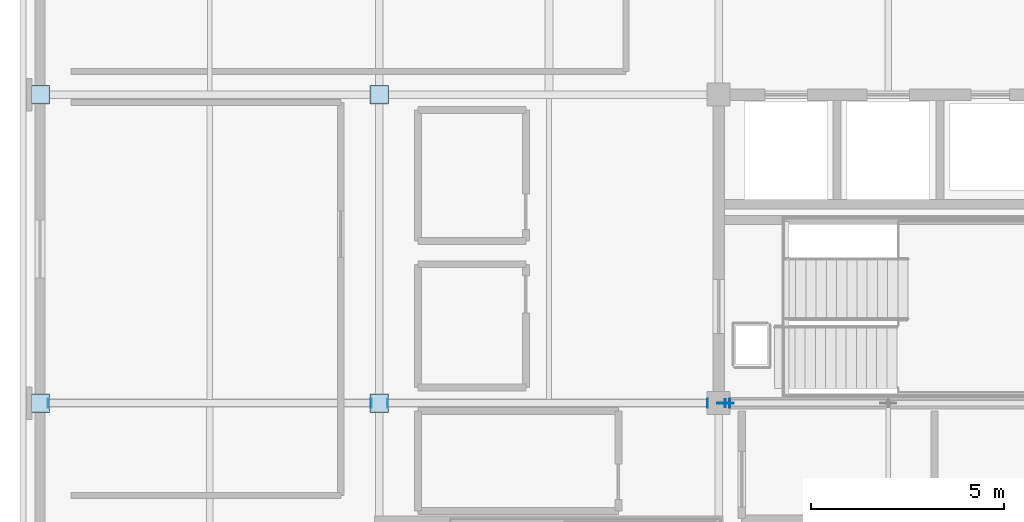
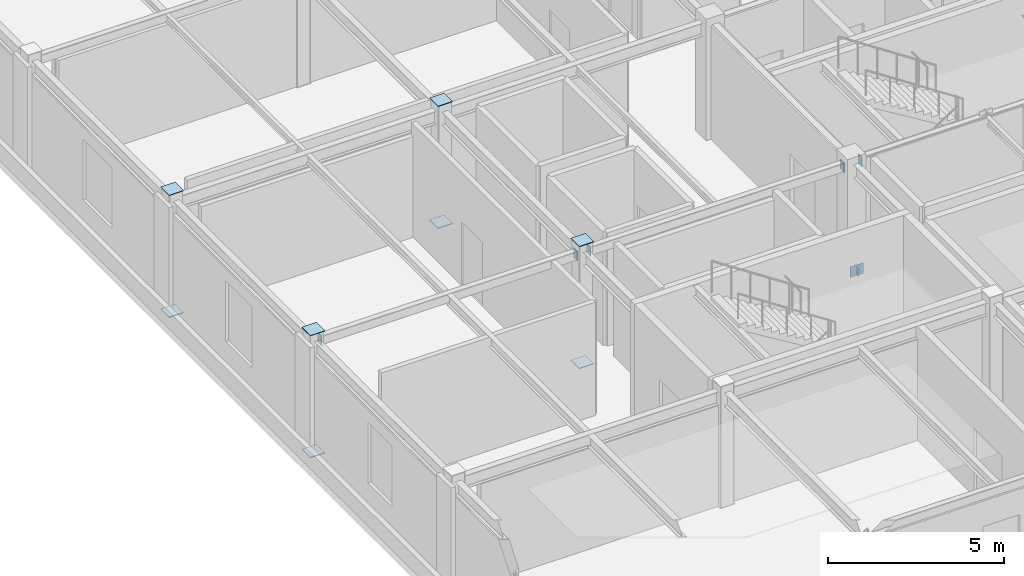
# One storey, part 5 of 18: 15 plates.
"""IFC4 building model written with IfcOpenShell, lengths in metres."""

from ifc_helpers import new_model, si_unit, direction, frame, origin, origin_2d, place, context, subcontext, project, spatial, rectangle, extrude, material, layer, layer_set, type_object, element, save


model = new_model("IFC4")

# Units and contexts
model_context = context("Model", 3, precision=1e-05, world=origin(), true_north=direction((0.0, 1.0)))
body_context = subcontext(model_context, "Body", "Model", "MODEL_VIEW")
ifc_project = project(units=[si_unit("LENGTHUNIT", "METRE"), si_unit("AREAUNIT", "SQUARE_METRE"), si_unit("VOLUMEUNIT", "CUBIC_METRE"), si_unit("PLANEANGLEUNIT", "RADIAN"), si_unit("MASSUNIT", "GRAM", prefix="KILO")], contexts=[model_context])

# Site, building, storey
site_placement = place(None, origin())
site = spatial("IfcSite", under=ifc_project, at=site_placement, CompositionType="ELEMENT")
building_placement = place(site_placement, origin())
building = spatial("IfcBuilding", under=site, at=building_placement, Name="Zhaolan Boulevard Law Courts", CompositionType="ELEMENT")
storey_placement = place(building_placement, frame((0.0, 0.0, 33.0)))
storey = spatial("IfcBuildingStorey", under=building, at=storey_placement, Name="L07", CompositionType="ELEMENT", Elevation=33.0)

# Plates
ifc_material_1 = material(Name="Structural steel Q355B", Category="steel")
ifc_layer_1 = layer(ifc_material_1, 0.02392578125)
ifc_layer_set_1 = layer_set([ifc_layer_1])
plate_type_1 = type_object("IfcPlateType", Name="BRACE GUSSET PLATE 24", PredefinedType="SHEET", material=ifc_layer_set_1)
plate_1_placement = place(storey_placement, frame((17.780029296875, 46.0, -0.14990234375), z_axis=(0.0, 0.0, 1.0), x_axis=(1.0, 0.0, 0.0)))
element("IfcPlate", 1, at=plate_1_placement, inside=storey, type_object=plate_type_1, Name="Brace Gusset Connection Plate GP-W1-L07-SA1", PredefinedType="SHEET", context=body_context, shape_type="SweptSolid", body=[
    extrude(rectangle(XDim=0.419921875, YDim=0.02392578125, at=origin_2d()), origin(), (0.0, 0.0, 1.0), 0.360107421875),
])
ifc_material_2 = material(Name="Structural steel Q355B", Category="steel")
ifc_layer_2 = layer(ifc_material_2, 0.02001953125)
ifc_layer_set_2 = layer_set([ifc_layer_2])
plate_type_2 = type_object("IfcPlateType", Name="END CAP PLATE 20", PredefinedType="SHEET", material=ifc_layer_set_2)
for number, where, z_axis, x_axis, name in (
    (2, (0.0, 46.0, -0.01806640625), (0.0, 0.0, 1.0), (1.0, 0.0, 0.0), "Hollow Section End-Cap Plate ECP-0059"),
    (3, (0.0, 46.0, 4.197998046875), (0.0, 0.0, 1.0), (1.0, 0.0, 0.0), "Hollow Section End-Cap Plate ECP-0060"),
    (4, (0.0, 54.0, -0.01806640625), (0.0, 0.0, 1.0), (1.0, 0.0, 0.0), "Hollow Section End-Cap Plate ECP-0081"),
    (5, (0.0, 54.0, 4.197998046875), (0.0, 0.0, 1.0), (1.0, 0.0, 0.0), "Hollow Section End-Cap Plate ECP-0082"),
    (6, (8.800048828125, 46.0, -0.01806640625), (0.0, 0.0, 1.0), (1.0, 0.0, 0.0), "Hollow Section End-Cap Plate ECP-0193"),
    (7, (8.800048828125, 46.0, 4.197998046875), (0.0, 0.0, 1.0), (1.0, 0.0, 0.0), "Hollow Section End-Cap Plate ECP-0194"),
    (8, (8.800048828125, 54.0, -0.01806640625), (0.0, 0.0, 1.0), (1.0, 0.0, 0.0), "Hollow Section End-Cap Plate ECP-0215"),
    (9, (8.800048828125, 54.0, 4.197998046875), (0.0, 0.0, 1.0), (1.0, 0.0, 0.0), "Hollow Section End-Cap Plate ECP-0216"),
):
    element("IfcPlate", number, at=place(storey_placement, frame(where, z_axis=z_axis, x_axis=x_axis)), inside=storey, type_object=plate_type_2, Name=name, PredefinedType="SHEET", context=body_context, shape_type="SweptSolid", body=[
        extrude(rectangle(XDim=0.47998046875, YDim=0.47998046875, at=origin_2d()), origin(), (0.0, 0.0, 1.0), 0.02001953125),
    ])
for number, where, z_axis, x_axis, name in (
    (10, (0.212890625, 46.0, 3.633056640625), (0.0, 0.0, 1.0), (1.0, 0.0, 0.0), "Hollow Section End-Cap Plate ECP-1019"),
    (11, (8.5869140625, 46.0, 3.633056640625), (0.0, 0.0, 1.0), (1.0, 0.0, 0.0), "Hollow Section End-Cap Plate ECP-1020"),
    (12, (9.012939453125, 46.0, 3.633056640625), (0.0, 0.0, 1.0), (1.0, 0.0, 0.0), "Hollow Section End-Cap Plate ECP-1021"),
    (13, (17.31201171875, 46.0, 3.633056640625), (0.0, 0.0, 1.0), (1.0, 0.0, 0.0), "Hollow Section End-Cap Plate ECP-1022"),
    (14, (17.887939453125, 46.0, 3.633056640625), (0.0, 0.0, 1.0), (1.0, 0.0, 0.0), "Hollow Section End-Cap Plate ECP-1023"),
):
    element("IfcPlate", number, at=place(storey_placement, frame(where, z_axis=z_axis, x_axis=x_axis)), inside=storey, type_object=plate_type_2, Name=name, PredefinedType="SHEET", context=body_context, shape_type="SweptSolid", body=[
        extrude(rectangle(XDim=0.02001953125, YDim=0.22998046875, at=origin_2d()), origin(), (0.0, 0.0, 1.0), 0.330078125),
    ])
plate_2_placement = place(storey_placement, frame((17.774169921875, 46.0, -0.1181640625), z_axis=(0.0, 0.0, 1.0), x_axis=(1.0, 0.0, 0.0)))
element("IfcPlate", 15, at=plate_2_placement, inside=storey, type_object=plate_type_2, Name="Hollow Section End-Cap Plate ECP-1111", PredefinedType="SHEET", context=body_context, shape_type="SweptSolid", body=[
    extrude(rectangle(XDim=0.02001953125, YDim=0.2099609375, at=origin_2d()), origin(), (0.0, 0.0, 1.0), 0.285888671875),
])

save(model, "model.ifc")
